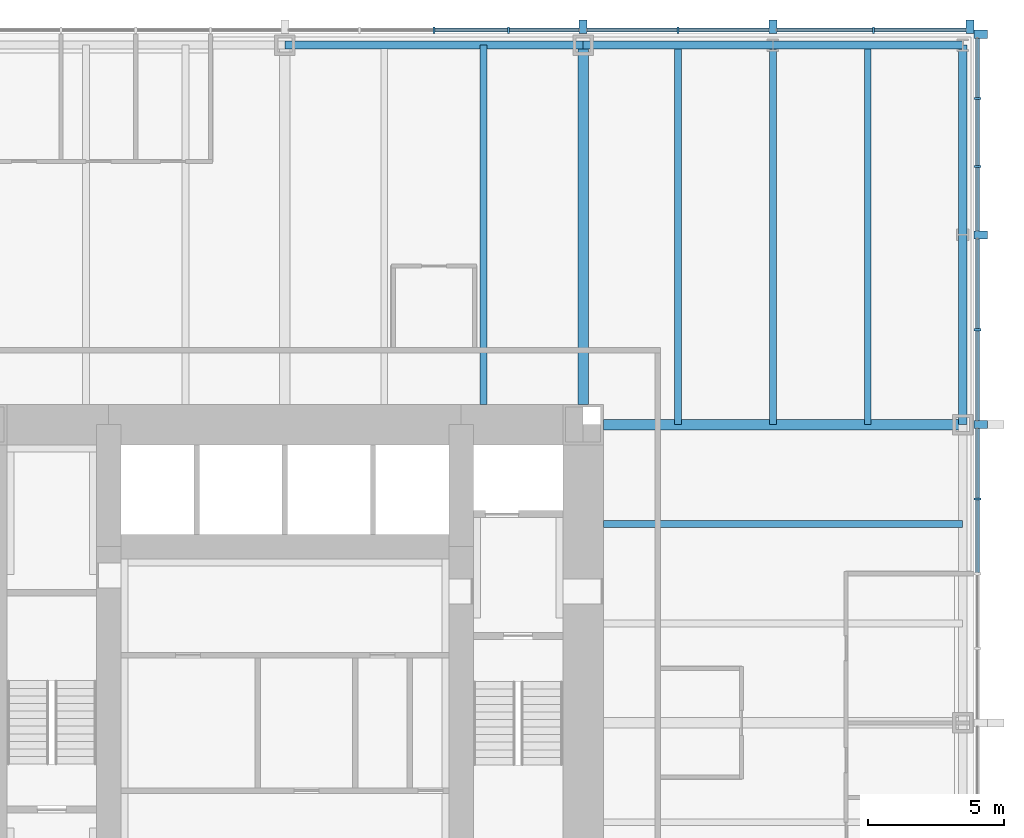
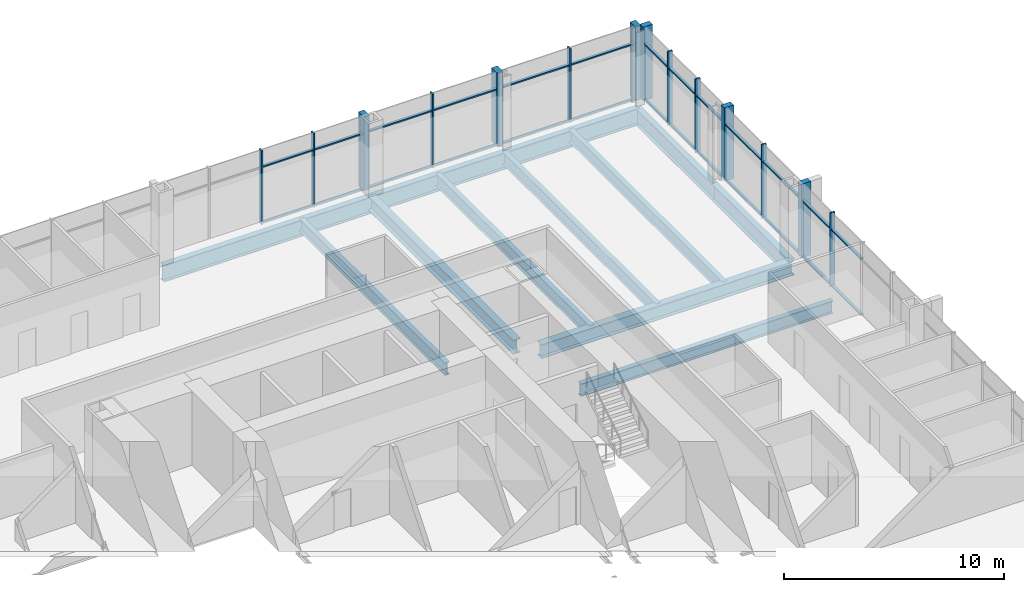
# One storey, part 6 of 12: 40 members, 12 beams, 2 elements without a shape of their own.
"""IFC4 building model written with IfcOpenShell, lengths in metres."""

import ifcopenshell
import ifcopenshell.guid

model = None  # the IFC model being written
_history = None  # IfcOwnerHistory: only IFC2X3 demands one
_inside = {}  # id of a spatial element -> (the spatial element, [elements in it])
_under = {}  # id of a project, library or spatial element -> (it, [spatial elements below it])
_declared = {}  # id of a project -> (the project, [libraries it declares])
_typed = {}  # id of a type object -> (the type object, [elements of that type])
_made_of = {}  # id of a material, layer set ... -> (it, [elements and type objects made of it])


def new_model(schema):
    """Start an empty IFC model of exactly this schema.

    Asked for "IFC4X3", IfcOpenShell would pick the latest addendum, in which some entities
    have other attributes; the version numbers below select the first issue.
    IFC2X3 requires an IfcOwnerHistory on every rooted entity: one is made here for all.
    """
    global model, _history
    if schema == "IFC4X3":
        model = ifcopenshell.file(schema_version=(4, 3, 0, 0))
    else:
        model = ifcopenshell.file(schema=schema)
    _inside.clear()
    _under.clear()
    _declared.clear()
    _typed.clear()
    _made_of.clear()
    _history = None
    if model.schema == "IFC2X3":
        org = make("IfcOrganization", Name="unknown")
        user = make(
            "IfcPersonAndOrganization",
            ThePerson=make("IfcPerson", FamilyName="unknown"),
            TheOrganization=org,
        )
        app = make(
            "IfcApplication",
            ApplicationDeveloper=org,
            Version="unknown",
            ApplicationFullName="unknown",
            ApplicationIdentifier="unknown",
        )
        _history = make(
            "IfcOwnerHistory",
            OwningUser=user,
            OwningApplication=app,
            ChangeAction="ADDED",
            CreationDate=0,
        )
    return model


def make(cls, **values):
    """One entity of the class cls with the attributes given. An attribute that is None is left unset."""
    return model.create_entity(
        cls, **{name: value for name, value in values.items() if value is not None}
    )


def rooted(cls, **values):
    """An entity with a GlobalId (a new one), such as an element, a storey or a relation."""
    return make(cls, GlobalId=ifcopenshell.guid.new(), OwnerHistory=_history, **values)


def si_unit(unit_type, name, prefix=None):
    """IfcSIUnit, for example si_unit("LENGTHUNIT", "METRE", prefix="MILLI")."""
    return make("IfcSIUnit", UnitType=unit_type, Prefix=prefix, Name=name)


def assignment(units):
    """IfcUnitAssignment: the units of a project."""
    return None if units is None else make("IfcUnitAssignment", Units=units)


def point(xyz):
    """IfcCartesianPoint."""
    return None if xyz is None else make("IfcCartesianPoint", Coordinates=xyz)


def direction(xyz):
    """IfcDirection."""
    return None if xyz is None else make("IfcDirection", DirectionRatios=xyz)


def frame(location, z_axis=None, x_axis=None):
    """IfcAxis2Placement3D, a coordinate frame: its origin and axes. An axis left out is left unset."""
    return make(
        "IfcAxis2Placement3D",
        Location=point(location),
        Axis=direction(z_axis),
        RefDirection=direction(x_axis),
    )


def frame_2d(location, x_axis=None):
    """IfcAxis2Placement2D, a coordinate frame in the plane: its origin and x axis."""
    return make(
        "IfcAxis2Placement2D", Location=point(location), RefDirection=direction(x_axis)
    )


def origin():
    """The frame at (0, 0, 0) with its axes left unset."""
    return frame((0.0, 0.0, 0.0))


def origin_2d():
    """The frame at (0, 0) in the plane with its x axis left unset."""
    return frame_2d((0.0, 0.0))


def place(relative_to, where):
    """IfcLocalPlacement: puts the frame where relative to a parent placement (None: the world)."""
    return make(
        "IfcLocalPlacement", PlacementRelTo=relative_to, RelativePlacement=where
    )


def context(
    kind, dimensions, precision=None, world=None, true_north=None, identifier=None
):
    """IfcGeometricRepresentationContext, for example the 3D "Model" context."""
    return make(
        "IfcGeometricRepresentationContext",
        ContextIdentifier=identifier,
        ContextType=kind,
        CoordinateSpaceDimension=dimensions,
        Precision=precision,
        WorldCoordinateSystem=world,
        TrueNorth=true_north,
    )


def subcontext(parent, identifier, kind, view, scale=None):
    """IfcGeometricRepresentationSubContext, for example "Body" below "Model"."""
    return make(
        "IfcGeometricRepresentationSubContext",
        ContextIdentifier=identifier,
        ContextType=kind,
        ParentContext=parent,
        TargetScale=scale,
        TargetView=view,
    )


def project(units=None, contexts=None):
    """IfcProject with its units and contexts."""
    return rooted(
        "IfcProject",
        Name="project",
        RepresentationContexts=contexts,
        UnitsInContext=assignment(units),
    )


def spatial(cls, under=None, at=None, **own):
    """A site, building, storey or space (cls), placed at a placement, below another one or the project."""
    s = rooted(cls, ObjectPlacement=at, **own)
    if under is not None:
        _under.setdefault(under.id(), (under, []))[1].append(s)
    return s


def profile(cls, at=None, kind="AREA", **sizes):
    """A parametric profile (cls). Its sizes go by their IFC names, for example OverallWidth=200.0."""
    return make(cls, ProfileType=kind, Position=at, **sizes)


def rectangle(**sizes):
    """IfcRectangleProfileDef."""
    return profile("IfcRectangleProfileDef", **sizes)


def i_section(**sizes):
    """IfcIShapeProfileDef."""
    return profile("IfcIShapeProfileDef", **sizes)


def extrude(swept, where, along, depth):
    """IfcExtrudedAreaSolid: the profile swept, set in the frame where, extruded along a direction by depth."""
    return make(
        "IfcExtrudedAreaSolid",
        SweptArea=swept,
        Position=where,
        ExtrudedDirection=direction(along),
        Depth=depth,
    )


def shape(context_of_items, identifier, shape_type, items):
    """IfcShapeRepresentation: the items that make up one representation, for example the "Body"."""
    return make(
        "IfcShapeRepresentation",
        ContextOfItems=context_of_items,
        RepresentationIdentifier=identifier,
        RepresentationType=shape_type,
        Items=items,
    )


def material(Name=None, Category=None):
    """IfcMaterial."""
    return make("IfcMaterial", Name=Name, Category=Category)


def material_profile(
    of_material, cross_section, Name=None, Category=None, Priority=None
):
    """IfcMaterialProfile: a cross section and its material."""
    return make(
        "IfcMaterialProfile",
        Name=Name,
        Material=of_material,
        Profile=cross_section,
        Priority=Priority,
        Category=Category,
    )


def profile_set(profiles, Name=None, composite=None):
    """IfcMaterialProfileSet."""
    return make(
        "IfcMaterialProfileSet",
        Name=Name,
        MaterialProfiles=profiles,
        CompositeProfile=composite,
    )


def made_of(thing, what):
    """Note that an element or type object is made of a material, layer set ...; save() writes the relation."""
    if what is not None:
        _made_of.setdefault(what.id(), (what, []))[1].append(thing)
    return thing


def type_object(cls, material=None, **own):
    """A type object (cls), such as IfcWallType, which elements share."""
    return made_of(rooted(cls, **own), material)


def element(
    cls,
    number,
    at=None,
    inside=None,
    cuts=None,
    type_object=None,
    material=None,
    context=None,
    identifier="Body",
    shape_type=None,
    held_by="IfcProductDefinitionShape",
    body=None,
    shapes=None,
    **own,
):
    """One element of the class cls, such as IfcWall. Its Tag is "e" and its number.

    at: its placement. inside: the storey or other place that contains it. cuts: it is an
    opening in that element (IfcRelVoidsElement). A single representation is given by context,
    identifier, shape_type and body (its items); several are given by shapes. held_by: the class
    of the entity that holds the representations. save() writes the other relations.
    """
    e = rooted(cls, Tag="e%d" % number, ObjectPlacement=at, **own)
    if body is not None:
        shapes = [shape(context, identifier, shape_type, body)]
    if shapes is not None:
        e.Representation = make(held_by, Representations=shapes)
    if inside is not None:
        _inside.setdefault(inside.id(), (inside, []))[1].append(e)
    if cuts is not None:
        rooted(
            "IfcRelVoidsElement", RelatingBuildingElement=cuts, RelatedOpeningElement=e
        )
    if type_object is not None:
        _typed.setdefault(type_object.id(), (type_object, []))[1].append(e)
    return made_of(e, material)


def aggregate(whole, parts):
    """IfcRelAggregates: a whole, such as a stair, and the parts it consists of."""
    return rooted("IfcRelAggregates", RelatingObject=whole, RelatedObjects=parts)


def save(model, path):
    """Write the relations noted so far, then the file.

    IfcRelAggregates (storeys below a building ...), IfcRelContainedInSpatialStructure (elements
    in a storey), IfcRelDefinesByType, IfcRelAssociatesMaterial and IfcRelDeclares: one each for
    every whole, place, type object, material and project.
    """
    for whole, parts in _under.values():
        aggregate(whole, parts)
    for where, things in _inside.values():
        rooted(
            "IfcRelContainedInSpatialStructure",
            RelatedElements=things,
            RelatingStructure=where,
        )
    for kind, things in _typed.values():
        rooted("IfcRelDefinesByType", RelatedObjects=things, RelatingType=kind)
    for what, things in _made_of.values():
        rooted("IfcRelAssociatesMaterial", RelatedObjects=things, RelatingMaterial=what)
    for by, libraries in _declared.values():
        rooted("IfcRelDeclares", RelatingContext=by, RelatedDefinitions=libraries)
    model.write(path)


model = new_model("IFC4")

# Units and contexts
model_context = context("Model", 3, precision=1e-05, world=origin(), true_north=direction((0.0, 1.0)))
body_context = subcontext(model_context, "Body", "Model", "MODEL_VIEW")
ifc_project = project(units=[si_unit("LENGTHUNIT", "METRE"), si_unit("AREAUNIT", "SQUARE_METRE"), si_unit("VOLUMEUNIT", "CUBIC_METRE"), si_unit("PLANEANGLEUNIT", "RADIAN"), si_unit("MASSUNIT", "GRAM", prefix="KILO")], contexts=[model_context])

# Site, building, storey
site_placement = place(None, origin())
site = spatial("IfcSite", under=ifc_project, at=site_placement, CompositionType="ELEMENT")
building_placement = place(site_placement, origin())
building = spatial("IfcBuilding", under=site, at=building_placement, Name="Trevanion Tower", CompositionType="ELEMENT")
storey_placement = place(building_placement, frame((0.0, 0.0, 32.39990234375)))
storey = spatial("IfcBuildingStorey", under=building, at=storey_placement, Name="L07", CompositionType="ELEMENT", Elevation=32.39990234375)

# Beams
ifc_material_1 = material(Name="Steel ASTM A992 Grade 50", Category="steel")
ifc_material_profile_1 = material_profile(ifc_material_1, i_section(OverallWidth=0.25390625, OverallDepth=0.700927734375, WebThickness=0.015380859375, FlangeThickness=0.02783203125, at=origin_2d()), Name="W27X129")
ifc_profile_set_1 = profile_set([ifc_material_profile_1], Name="Steel ASTM A992 Grade 50")
beam_type_1 = type_object("IfcBeamType", Name="B3 W27X129", PredefinedType="BEAM", material=ifc_profile_set_1)
for number, where, z_axis, x_axis, name in (
    (1, (11.75, 7.333251953125, -0.540283203125), (1.0, 0.0, 0.0), (0.0, 1.0, 0.0), "B3 L07"),
    (2, (7.333251953125, 11.75, -0.540283203125), (0.0, 1.0, 0.0), (-1.0, 0.0, 0.0), "B3 L07"),
):
    element("IfcBeam", number, at=place(storey_placement, frame(where, z_axis=z_axis, x_axis=x_axis)), inside=storey, type_object=beam_type_1, Name=name, PredefinedType="BEAM", context=body_context, shape_type="SweptSolid", body=[
        extrude(i_section(OverallWidth=0.25390625, OverallDepth=0.700927734375, WebThickness=0.015380859375, FlangeThickness=0.02783203125, at=origin_2d()), origin(), (0.0, 0.0, 1.0), 13.25),
    ])
ifc_material_2 = material(Name="Steel ASTM A992 Grade 50", Category="steel")
ifc_material_profile_2 = material_profile(ifc_material_2, i_section(OverallWidth=0.256591796875, OverallDepth=0.693359375, WebThickness=0.014404296875, FlangeThickness=0.023681640625, at=origin_2d()), Name="W27X114")
ifc_profile_set_2 = profile_set([ifc_material_profile_2], Name="Steel ASTM A992 Grade 50")
beam_type_2 = type_object("IfcBeamType", Name="B4 W27X114", PredefinedType="BEAM", material=ifc_profile_set_2)
for number, where, z_axis, x_axis, name in (
    (3, (14.5, 11.0, -0.53662109375), (0.0, 1.0, 0.0), (-1.0, 0.0, 0.0), "B4 L07"),
    (4, (18.0, 11.0, -0.53662109375), (0.0, 1.0, 0.0), (-1.0, 0.0, 0.0), "B4 L07"),
    (5, (21.5, 11.0, -0.53662109375), (0.0, 1.0, 0.0), (-1.0, 0.0, 0.0), "B4 L07"),
):
    element("IfcBeam", number, at=place(storey_placement, frame(where, z_axis=z_axis, x_axis=x_axis)), inside=storey, type_object=beam_type_2, Name=name, PredefinedType="BEAM", context=body_context, shape_type="SweptSolid", body=[
        extrude(i_section(OverallWidth=0.256591796875, OverallDepth=0.693359375, WebThickness=0.014404296875, FlangeThickness=0.023681640625, at=origin_2d()), origin(), (0.0, 0.0, 1.0), 14.0),
    ])

# Curtain wall, members
ifc_material_3 = material(Name="Aluminium and glass", Category="aluminium")
curtain_wall_type = type_object("IfcCurtainWallType", Name="CW1 curtain wall", PredefinedType="USERDEFINED", material=ifc_material_3)
curtain_wall_1_placement = place(storey_placement, origin())
curtain_wall_1 = element("IfcCurtainWall", 6, at=curtain_wall_1_placement, inside=storey, type_object=curtain_wall_type, Name="CW1 L07 0", ObjectType="UNITISED CURTAIN WALL", PredefinedType="USERDEFINED")
ifc_material_4 = material(Name="Aluminium extrusion, anodised bronze", Category="aluminium")
ifc_material_profile_3 = material_profile(ifc_material_4, rectangle(XDim=0.074951171875, YDim=0.25, at=origin_2d()), Name="CW1 mullion")
ifc_profile_set_3 = profile_set([ifc_material_profile_3], Name="Aluminium extrusion, anodised bronze")
member_type_1 = type_object("IfcMemberType", Name="CW1 mullion", PredefinedType="MULLION", material=ifc_profile_set_3)
member_1_placement = place(storey_placement, frame((25.550048828125, 8.25, -0.18994140625), z_axis=(0.0, 0.0, 1.0), x_axis=(0.0, 1.0, 0.0)))
member_1 = element("IfcMember", 7, at=member_1_placement, type_object=member_type_1, Name="CW1 mullion 12", PredefinedType="MULLION", context=body_context, shape_type="SweptSolid", body=[
    extrude(rectangle(XDim=0.074951171875, YDim=0.25, at=origin_2d()), origin(), (0.0, 0.0, 1.0), 4.10009765625),
])
member_2_placement = place(storey_placement, frame((25.550048828125, 14.5, -0.18994140625), z_axis=(0.0, 0.0, 1.0), x_axis=(0.0, 1.0, 0.0)))
member_2 = element("IfcMember", 8, at=member_2_placement, type_object=member_type_1, Name="CW1 mullion 14", PredefinedType="MULLION", context=body_context, shape_type="SweptSolid", body=[
    extrude(rectangle(XDim=0.074951171875, YDim=0.25, at=origin_2d()), origin(), (0.0, 0.0, 1.0), 4.10009765625),
])
member_3_placement = place(storey_placement, frame((25.550048828125, 20.5166015625, -0.18994140625), z_axis=(0.0, 0.0, 1.0), x_axis=(0.0, 1.0, 0.0)))
member_3 = element("IfcMember", 9, at=member_3_placement, type_object=member_type_1, Name="CW1 mullion 16", PredefinedType="MULLION", context=body_context, shape_type="SweptSolid", body=[
    extrude(rectangle(XDim=0.074951171875, YDim=0.25, at=origin_2d()), origin(), (0.0, 0.0, 1.0), 4.10009765625),
])
member_4_placement = place(storey_placement, frame((25.550048828125, 23.033203125, -0.18994140625), z_axis=(0.0, 0.0, 1.0), x_axis=(0.0, 1.0, 0.0)))
member_4 = element("IfcMember", 10, at=member_4_placement, type_object=member_type_1, Name="CW1 mullion 17", PredefinedType="MULLION", context=body_context, shape_type="SweptSolid", body=[
    extrude(rectangle(XDim=0.074951171875, YDim=0.25, at=origin_2d()), origin(), (0.0, 0.0, 1.0), 4.10009765625),
])

curtain_wall_2_placement = place(storey_placement, origin())
curtain_wall_2 = element("IfcCurtainWall", 11, at=curtain_wall_2_placement, inside=storey, type_object=curtain_wall_type, Name="CW1 L07 1", ObjectType="UNITISED CURTAIN WALL", PredefinedType="USERDEFINED")
member_5_placement = place(storey_placement, frame((21.7099609375, 25.550048828125, -0.18994140625), z_axis=(0.0, 0.0, 1.0), x_axis=(-1.0, 0.0, 0.0)))
member_5 = element("IfcMember", 12, at=member_5_placement, type_object=member_type_1, Name="CW1 mullion 2", PredefinedType="MULLION", context=body_context, shape_type="SweptSolid", body=[
    extrude(rectangle(XDim=0.074951171875, YDim=0.25, at=origin_2d()), origin(), (0.0, 0.0, 1.0), 4.10009765625),
])
member_6_placement = place(storey_placement, frame((14.5, 25.550048828125, -0.18994140625), z_axis=(0.0, 0.0, 1.0), x_axis=(-1.0, 0.0, 0.0)))
member_6 = element("IfcMember", 13, at=member_6_placement, type_object=member_type_1, Name="CW1 mullion 4", PredefinedType="MULLION", context=body_context, shape_type="SweptSolid", body=[
    extrude(rectangle(XDim=0.074951171875, YDim=0.25, at=origin_2d()), origin(), (0.0, 0.0, 1.0), 4.10009765625),
])
member_7_placement = place(storey_placement, frame((8.25, 25.550048828125, -0.18994140625), z_axis=(0.0, 0.0, 1.0), x_axis=(-1.0, 0.0, 0.0)))
member_7 = element("IfcMember", 14, at=member_7_placement, type_object=member_type_1, Name="CW1 mullion 6", PredefinedType="MULLION", context=body_context, shape_type="SweptSolid", body=[
    extrude(rectangle(XDim=0.074951171875, YDim=0.25, at=origin_2d()), origin(), (0.0, 0.0, 1.0), 4.10009765625),
])
member_8_placement = place(storey_placement, frame((5.5, 25.550048828125, -0.18994140625), z_axis=(0.0, 0.0, 1.0), x_axis=(-1.0, 0.0, 0.0)))
member_8 = element("IfcMember", 15, at=member_8_placement, type_object=member_type_1, Name="CW1 mullion 7", PredefinedType="MULLION", context=body_context, shape_type="SweptSolid", body=[
    extrude(rectangle(XDim=0.074951171875, YDim=0.25, at=origin_2d()), origin(), (0.0, 0.0, 1.0), 4.10009765625),
])

# Member
ifc_material_5 = material(Name="Aluminium extrusion, anodised bronze", Category="aluminium")
ifc_material_profile_4 = material_profile(ifc_material_5, rectangle(XDim=0.300048828125, YDim=0.5, at=origin_2d()), Name="CW1 pier mullion")
ifc_profile_set_4 = profile_set([ifc_material_profile_4], Name="Aluminium extrusion, anodised bronze")
member_type_2 = type_object("IfcMemberType", Name="CW1 pier mullion", PredefinedType="MULLION", material=ifc_profile_set_4)
member_9_placement = place(storey_placement, frame((25.675048828125, 11.0, -0.18994140625), z_axis=(0.0, 0.0, 1.0), x_axis=(0.0, 1.0, 0.0)))
member_9 = element("IfcMember", 16, at=member_9_placement, type_object=member_type_2, Name="CW1 pier mullion 13", PredefinedType="MULLION", context=body_context, shape_type="SweptSolid", body=[
    extrude(rectangle(XDim=0.300048828125, YDim=0.5, at=origin_2d()), origin(), (0.0, 0.0, 1.0), 4.10009765625),
])

member_10_placement = place(storey_placement, frame((25.675048828125, 18.0, -0.18994140625), z_axis=(0.0, 0.0, 1.0), x_axis=(0.0, 1.0, 0.0)))
member_10 = element("IfcMember", 17, at=member_10_placement, type_object=member_type_2, Name="CW1 pier mullion 15", PredefinedType="MULLION", context=body_context, shape_type="SweptSolid", body=[
    extrude(rectangle(XDim=0.300048828125, YDim=0.5, at=origin_2d()), origin(), (0.0, 0.0, 1.0), 4.10009765625),
])

member_11_placement = place(storey_placement, frame((25.675048828125, 25.39990234375, -0.18994140625), z_axis=(0.0, 0.0, 1.0), x_axis=(0.0, 1.0, 0.0)))
member_11 = element("IfcMember", 18, at=member_11_placement, type_object=member_type_2, Name="CW1 pier mullion 18", PredefinedType="MULLION", context=body_context, shape_type="SweptSolid", body=[
    extrude(rectangle(XDim=0.300048828125, YDim=0.5, at=origin_2d()), origin(), (0.0, 0.0, 1.0), 4.10009765625),
])

member_12_placement = place(storey_placement, frame((25.27001953125, 25.675048828125, -0.18994140625), z_axis=(0.0, 0.0, 1.0), x_axis=(-1.0, 0.0, 0.0)))
member_12 = element("IfcMember", 19, at=member_12_placement, type_object=member_type_2, Name="CW1 pier mullion 1", PredefinedType="MULLION", context=body_context, shape_type="SweptSolid", body=[
    extrude(rectangle(XDim=0.300048828125, YDim=0.5, at=origin_2d()), origin(), (0.0, 0.0, 1.0), 4.10009765625),
])

member_13_placement = place(storey_placement, frame((18.0, 25.675048828125, -0.18994140625), z_axis=(0.0, 0.0, 1.0), x_axis=(-1.0, 0.0, 0.0)))
member_13 = element("IfcMember", 20, at=member_13_placement, type_object=member_type_2, Name="CW1 pier mullion 3", PredefinedType="MULLION", context=body_context, shape_type="SweptSolid", body=[
    extrude(rectangle(XDim=0.300048828125, YDim=0.5, at=origin_2d()), origin(), (0.0, 0.0, 1.0), 4.10009765625),
])

member_14_placement = place(storey_placement, frame((11.0, 25.675048828125, -0.18994140625), z_axis=(0.0, 0.0, 1.0), x_axis=(-1.0, 0.0, 0.0)))
member_14 = element("IfcMember", 21, at=member_14_placement, type_object=member_type_2, Name="CW1 pier mullion 5", PredefinedType="MULLION", context=body_context, shape_type="SweptSolid", body=[
    extrude(rectangle(XDim=0.300048828125, YDim=0.5, at=origin_2d()), origin(), (0.0, 0.0, 1.0), 4.10009765625),
])

ifc_material_6 = material(Name="Aluminium extrusion, anodised bronze", Category="aluminium")
ifc_material_profile_5 = material_profile(ifc_material_6, rectangle(XDim=0.14990234375, YDim=0.074951171875, at=origin_2d()), Name="CW1 transom")
ifc_profile_set_5 = profile_set([ifc_material_profile_5], Name="Aluminium extrusion, anodised bronze")
member_type_3 = type_object("IfcMemberType", Name="CW1 transom", PredefinedType="USERDEFINED", material=ifc_profile_set_5)
member_15_placement = place(storey_placement, frame((25.550048828125, 5.53759765625, -0.15234375), z_axis=(0.0, 1.0, 0.0), x_axis=(-1.0, 0.0, 0.0)))
member_15 = element("IfcMember", 22, at=member_15_placement, type_object=member_type_3, Name="CW1 transom 11.1", ObjectType="TRANSOM", PredefinedType="USERDEFINED", context=body_context, shape_type="SweptSolid", body=[
    extrude(rectangle(XDim=0.14990234375, YDim=0.074951171875, at=origin_2d()), origin(), (0.0, 0.0, 1.0), 2.6748046875),
])

member_16_placement = place(storey_placement, frame((25.550048828125, 5.53759765625, 2.960205078125), z_axis=(0.0, 1.0, 0.0), x_axis=(-1.0, 0.0, 0.0)))
member_16 = element("IfcMember", 23, at=member_16_placement, type_object=member_type_3, Name="CW1 transom 11.2", ObjectType="TRANSOM", PredefinedType="USERDEFINED", context=body_context, shape_type="SweptSolid", body=[
    extrude(rectangle(XDim=0.14990234375, YDim=0.074951171875, at=origin_2d()), origin(), (0.0, 0.0, 1.0), 2.6748046875),
])

member_17_placement = place(storey_placement, frame((25.550048828125, 8.28759765625, -0.15234375), z_axis=(0.0, 1.0, 0.0), x_axis=(-1.0, 0.0, 0.0)))
member_17 = element("IfcMember", 24, at=member_17_placement, type_object=member_type_3, Name="CW1 transom 12.1", ObjectType="TRANSOM", PredefinedType="USERDEFINED", context=body_context, shape_type="SweptSolid", body=[
    extrude(rectangle(XDim=0.14990234375, YDim=0.074951171875, at=origin_2d()), origin(), (0.0, 0.0, 1.0), 2.5625),
])

member_18_placement = place(storey_placement, frame((25.550048828125, 8.28759765625, 2.960205078125), z_axis=(0.0, 1.0, 0.0), x_axis=(-1.0, 0.0, 0.0)))
member_18 = element("IfcMember", 25, at=member_18_placement, type_object=member_type_3, Name="CW1 transom 12.2", ObjectType="TRANSOM", PredefinedType="USERDEFINED", context=body_context, shape_type="SweptSolid", body=[
    extrude(rectangle(XDim=0.14990234375, YDim=0.074951171875, at=origin_2d()), origin(), (0.0, 0.0, 1.0), 2.5625),
])

member_19_placement = place(storey_placement, frame((25.550048828125, 11.14990234375, -0.15234375), z_axis=(0.0, 1.0, 0.0), x_axis=(-1.0, 0.0, 0.0)))
member_19 = element("IfcMember", 26, at=member_19_placement, type_object=member_type_3, Name="CW1 transom 13.1", ObjectType="TRANSOM", PredefinedType="USERDEFINED", context=body_context, shape_type="SweptSolid", body=[
    extrude(rectangle(XDim=0.14990234375, YDim=0.074951171875, at=origin_2d()), origin(), (0.0, 0.0, 1.0), 3.3125),
])

member_20_placement = place(storey_placement, frame((25.550048828125, 11.14990234375, 2.960205078125), z_axis=(0.0, 1.0, 0.0), x_axis=(-1.0, 0.0, 0.0)))
member_20 = element("IfcMember", 27, at=member_20_placement, type_object=member_type_3, Name="CW1 transom 13.2", ObjectType="TRANSOM", PredefinedType="USERDEFINED", context=body_context, shape_type="SweptSolid", body=[
    extrude(rectangle(XDim=0.14990234375, YDim=0.074951171875, at=origin_2d()), origin(), (0.0, 0.0, 1.0), 3.3125),
])

member_21_placement = place(storey_placement, frame((25.550048828125, 14.53759765625, -0.15234375), z_axis=(0.0, 1.0, 0.0), x_axis=(-1.0, 0.0, 0.0)))
member_21 = element("IfcMember", 28, at=member_21_placement, type_object=member_type_3, Name="CW1 transom 14.1", ObjectType="TRANSOM", PredefinedType="USERDEFINED", context=body_context, shape_type="SweptSolid", body=[
    extrude(rectangle(XDim=0.14990234375, YDim=0.074951171875, at=origin_2d()), origin(), (0.0, 0.0, 1.0), 3.3125),
])

member_22_placement = place(storey_placement, frame((25.550048828125, 14.53759765625, 2.960205078125), z_axis=(0.0, 1.0, 0.0), x_axis=(-1.0, 0.0, 0.0)))
member_22 = element("IfcMember", 29, at=member_22_placement, type_object=member_type_3, Name="CW1 transom 14.2", ObjectType="TRANSOM", PredefinedType="USERDEFINED", context=body_context, shape_type="SweptSolid", body=[
    extrude(rectangle(XDim=0.14990234375, YDim=0.074951171875, at=origin_2d()), origin(), (0.0, 0.0, 1.0), 3.3125),
])

member_23_placement = place(storey_placement, frame((25.550048828125, 18.14990234375, -0.15234375), z_axis=(0.0, 1.0, 0.0), x_axis=(-1.0, 0.0, 0.0)))
member_23 = element("IfcMember", 30, at=member_23_placement, type_object=member_type_3, Name="CW1 transom 15.1", ObjectType="TRANSOM", PredefinedType="USERDEFINED", context=body_context, shape_type="SweptSolid", body=[
    extrude(rectangle(XDim=0.14990234375, YDim=0.074951171875, at=origin_2d()), origin(), (0.0, 0.0, 1.0), 2.329345703125),
])

member_24_placement = place(storey_placement, frame((25.550048828125, 18.14990234375, 2.960205078125), z_axis=(0.0, 1.0, 0.0), x_axis=(-1.0, 0.0, 0.0)))
member_24 = element("IfcMember", 31, at=member_24_placement, type_object=member_type_3, Name="CW1 transom 15.2", ObjectType="TRANSOM", PredefinedType="USERDEFINED", context=body_context, shape_type="SweptSolid", body=[
    extrude(rectangle(XDim=0.14990234375, YDim=0.074951171875, at=origin_2d()), origin(), (0.0, 0.0, 1.0), 2.329345703125),
])

member_25_placement = place(storey_placement, frame((25.550048828125, 20.55419921875, -0.15234375), z_axis=(0.0, 1.0, 0.0), x_axis=(-1.0, 0.0, 0.0)))
member_25 = element("IfcMember", 32, at=member_25_placement, type_object=member_type_3, Name="CW1 transom 16.1", ObjectType="TRANSOM", PredefinedType="USERDEFINED", context=body_context, shape_type="SweptSolid", body=[
    extrude(rectangle(XDim=0.14990234375, YDim=0.074951171875, at=origin_2d()), origin(), (0.0, 0.0, 1.0), 2.441650390625),
])

member_26_placement = place(storey_placement, frame((25.550048828125, 20.55419921875, 2.960205078125), z_axis=(0.0, 1.0, 0.0), x_axis=(-1.0, 0.0, 0.0)))
member_26 = element("IfcMember", 33, at=member_26_placement, type_object=member_type_3, Name="CW1 transom 16.2", ObjectType="TRANSOM", PredefinedType="USERDEFINED", context=body_context, shape_type="SweptSolid", body=[
    extrude(rectangle(XDim=0.14990234375, YDim=0.074951171875, at=origin_2d()), origin(), (0.0, 0.0, 1.0), 2.441650390625),
])

member_27_placement = place(storey_placement, frame((25.550048828125, 23.07080078125, -0.15234375), z_axis=(0.0, 1.0, 0.0), x_axis=(-1.0, 0.0, 0.0)))
member_27 = element("IfcMember", 34, at=member_27_placement, type_object=member_type_3, Name="CW1 transom 17.1", ObjectType="TRANSOM", PredefinedType="USERDEFINED", context=body_context, shape_type="SweptSolid", body=[
    extrude(rectangle(XDim=0.14990234375, YDim=0.074951171875, at=origin_2d()), origin(), (0.0, 0.0, 1.0), 2.17919921875),
])

member_28_placement = place(storey_placement, frame((25.550048828125, 23.07080078125, 2.960205078125), z_axis=(0.0, 1.0, 0.0), x_axis=(-1.0, 0.0, 0.0)))
member_28 = element("IfcMember", 35, at=member_28_placement, type_object=member_type_3, Name="CW1 transom 17.2", ObjectType="TRANSOM", PredefinedType="USERDEFINED", context=body_context, shape_type="SweptSolid", body=[
    extrude(rectangle(XDim=0.14990234375, YDim=0.074951171875, at=origin_2d()), origin(), (0.0, 0.0, 1.0), 2.17919921875),
])

aggregate(curtain_wall_1, [member_1, member_9, member_2, member_10, member_3, member_4, member_11, member_15, member_16, member_17, member_18, member_19, member_20, member_21, member_22, member_23, member_24, member_25, member_26, member_27, member_28])

member_29_placement = place(storey_placement, frame((25.1201171875, 25.550048828125, -0.15234375), z_axis=(-1.0, 0.0, 0.0), x_axis=(0.0, -1.0, 0.0)))
member_29 = element("IfcMember", 36, at=member_29_placement, type_object=member_type_3, Name="CW1 transom 1.1", ObjectType="TRANSOM", PredefinedType="USERDEFINED", context=body_context, shape_type="SweptSolid", body=[
    extrude(rectangle(XDim=0.14990234375, YDim=0.074951171875, at=origin_2d()), origin(), (0.0, 0.0, 1.0), 3.37255859375),
])

member_30_placement = place(storey_placement, frame((25.1201171875, 25.550048828125, 2.960205078125), z_axis=(-1.0, 0.0, 0.0), x_axis=(0.0, -1.0, 0.0)))
member_30 = element("IfcMember", 37, at=member_30_placement, type_object=member_type_3, Name="CW1 transom 1.2", ObjectType="TRANSOM", PredefinedType="USERDEFINED", context=body_context, shape_type="SweptSolid", body=[
    extrude(rectangle(XDim=0.14990234375, YDim=0.074951171875, at=origin_2d()), origin(), (0.0, 0.0, 1.0), 3.37255859375),
])

member_31_placement = place(storey_placement, frame((21.672607421875, 25.550048828125, -0.15234375), z_axis=(-1.0, 0.0, 0.0), x_axis=(0.0, -1.0, 0.0)))
member_31 = element("IfcMember", 38, at=member_31_placement, type_object=member_type_3, Name="CW1 transom 2.1", ObjectType="TRANSOM", PredefinedType="USERDEFINED", context=body_context, shape_type="SweptSolid", body=[
    extrude(rectangle(XDim=0.14990234375, YDim=0.074951171875, at=origin_2d()), origin(), (0.0, 0.0, 1.0), 3.522705078125),
])

member_32_placement = place(storey_placement, frame((21.672607421875, 25.550048828125, 2.960205078125), z_axis=(-1.0, 0.0, 0.0), x_axis=(0.0, -1.0, 0.0)))
member_32 = element("IfcMember", 39, at=member_32_placement, type_object=member_type_3, Name="CW1 transom 2.2", ObjectType="TRANSOM", PredefinedType="USERDEFINED", context=body_context, shape_type="SweptSolid", body=[
    extrude(rectangle(XDim=0.14990234375, YDim=0.074951171875, at=origin_2d()), origin(), (0.0, 0.0, 1.0), 3.522705078125),
])

member_33_placement = place(storey_placement, frame((17.85009765625, 25.550048828125, -0.15234375), z_axis=(-1.0, 0.0, 0.0), x_axis=(0.0, -1.0, 0.0)))
member_33 = element("IfcMember", 40, at=member_33_placement, type_object=member_type_3, Name="CW1 transom 3.1", ObjectType="TRANSOM", PredefinedType="USERDEFINED", context=body_context, shape_type="SweptSolid", body=[
    extrude(rectangle(XDim=0.14990234375, YDim=0.074951171875, at=origin_2d()), origin(), (0.0, 0.0, 1.0), 3.3125),
])

member_34_placement = place(storey_placement, frame((17.85009765625, 25.550048828125, 2.960205078125), z_axis=(-1.0, 0.0, 0.0), x_axis=(0.0, -1.0, 0.0)))
member_34 = element("IfcMember", 41, at=member_34_placement, type_object=member_type_3, Name="CW1 transom 3.2", ObjectType="TRANSOM", PredefinedType="USERDEFINED", context=body_context, shape_type="SweptSolid", body=[
    extrude(rectangle(XDim=0.14990234375, YDim=0.074951171875, at=origin_2d()), origin(), (0.0, 0.0, 1.0), 3.3125),
])

member_35_placement = place(storey_placement, frame((14.46240234375, 25.550048828125, -0.15234375), z_axis=(-1.0, 0.0, 0.0), x_axis=(0.0, -1.0, 0.0)))
member_35 = element("IfcMember", 42, at=member_35_placement, type_object=member_type_3, Name="CW1 transom 4.1", ObjectType="TRANSOM", PredefinedType="USERDEFINED", context=body_context, shape_type="SweptSolid", body=[
    extrude(rectangle(XDim=0.14990234375, YDim=0.074951171875, at=origin_2d()), origin(), (0.0, 0.0, 1.0), 3.3125),
])

member_36_placement = place(storey_placement, frame((14.46240234375, 25.550048828125, 2.960205078125), z_axis=(-1.0, 0.0, 0.0), x_axis=(0.0, -1.0, 0.0)))
member_36 = element("IfcMember", 43, at=member_36_placement, type_object=member_type_3, Name="CW1 transom 4.2", ObjectType="TRANSOM", PredefinedType="USERDEFINED", context=body_context, shape_type="SweptSolid", body=[
    extrude(rectangle(XDim=0.14990234375, YDim=0.074951171875, at=origin_2d()), origin(), (0.0, 0.0, 1.0), 3.3125),
])

member_37_placement = place(storey_placement, frame((10.85009765625, 25.550048828125, -0.15234375), z_axis=(-1.0, 0.0, 0.0), x_axis=(0.0, -1.0, 0.0)))
member_37 = element("IfcMember", 44, at=member_37_placement, type_object=member_type_3, Name="CW1 transom 5.1", ObjectType="TRANSOM", PredefinedType="USERDEFINED", context=body_context, shape_type="SweptSolid", body=[
    extrude(rectangle(XDim=0.14990234375, YDim=0.074951171875, at=origin_2d()), origin(), (0.0, 0.0, 1.0), 2.5625),
])

member_38_placement = place(storey_placement, frame((10.85009765625, 25.550048828125, 2.960205078125), z_axis=(-1.0, 0.0, 0.0), x_axis=(0.0, -1.0, 0.0)))
member_38 = element("IfcMember", 45, at=member_38_placement, type_object=member_type_3, Name="CW1 transom 5.2", ObjectType="TRANSOM", PredefinedType="USERDEFINED", context=body_context, shape_type="SweptSolid", body=[
    extrude(rectangle(XDim=0.14990234375, YDim=0.074951171875, at=origin_2d()), origin(), (0.0, 0.0, 1.0), 2.5625),
])

member_39_placement = place(storey_placement, frame((8.21240234375, 25.550048828125, -0.15234375), z_axis=(-1.0, 0.0, 0.0), x_axis=(0.0, -1.0, 0.0)))
member_39 = element("IfcMember", 46, at=member_39_placement, type_object=member_type_3, Name="CW1 transom 6.1", ObjectType="TRANSOM", PredefinedType="USERDEFINED", context=body_context, shape_type="SweptSolid", body=[
    extrude(rectangle(XDim=0.14990234375, YDim=0.074951171875, at=origin_2d()), origin(), (0.0, 0.0, 1.0), 2.6748046875),
])

member_40_placement = place(storey_placement, frame((8.21240234375, 25.550048828125, 2.960205078125), z_axis=(-1.0, 0.0, 0.0), x_axis=(0.0, -1.0, 0.0)))
member_40 = element("IfcMember", 47, at=member_40_placement, type_object=member_type_3, Name="CW1 transom 6.2", ObjectType="TRANSOM", PredefinedType="USERDEFINED", context=body_context, shape_type="SweptSolid", body=[
    extrude(rectangle(XDim=0.14990234375, YDim=0.074951171875, at=origin_2d()), origin(), (0.0, 0.0, 1.0), 2.6748046875),
])

aggregate(curtain_wall_2, [member_12, member_5, member_13, member_6, member_14, member_7, member_8, member_29, member_30, member_31, member_32, member_33, member_34, member_35, member_36, member_37, member_38, member_39, member_40])

# Beams
ifc_material_7 = material(Name="Steel ASTM A992 Grade 50", Category="steel")
ifc_material_profile_6 = material_profile(ifc_material_7, i_section(OverallWidth=0.381103515625, OverallDepth=0.77978515625, WebThickness=0.01806640625, FlangeThickness=0.0302734375, at=origin_2d()), Name="W30X191")
ifc_profile_set_6 = profile_set([ifc_material_profile_6], Name="Steel ASTM A992 Grade 50")
beam_type_3 = type_object("IfcBeamType", Name="G2 W30X191", PredefinedType="BEAM", material=ifc_profile_set_6)
for number, where, z_axis, x_axis, name in (
    (48, (11.75, 11.0, -0.579833984375), (1.0, 0.0, 0.0), (0.0, 1.0, 0.0), "G2 L07"),
    (49, (11.0, 11.75, -0.579833984375), (0.0, 1.0, 0.0), (-1.0, 0.0, 0.0), "G2 L07"),
):
    element("IfcBeam", number, at=place(storey_placement, frame(where, z_axis=z_axis, x_axis=x_axis)), inside=storey, type_object=beam_type_3, Name=name, PredefinedType="BEAM", context=body_context, shape_type="SweptSolid", body=[
        extrude(i_section(OverallWidth=0.381103515625, OverallDepth=0.77978515625, WebThickness=0.01806640625, FlangeThickness=0.0302734375, at=origin_2d()), origin(), (0.0, 0.0, 1.0), 13.25),
    ])
ifc_material_8 = material(Name="Steel ASTM A992 Grade 50", Category="steel")
ifc_material_profile_7 = material_profile(ifc_material_8, i_section(OverallWidth=0.307373046875, OverallDepth=0.927001953125, WebThickness=0.01953125, FlangeThickness=0.031982421875, at=origin_2d()), Name="W36X194")
ifc_profile_set_7 = profile_set([ifc_material_profile_7], Name="Steel ASTM A992 Grade 50")
beam_type_4 = type_object("IfcBeamType", Name="SB2 W36X194", PredefinedType="SPANDREL", material=ifc_profile_set_7)
for number, where, z_axis, x_axis, name in (
    (50, (25.0, 11.0, -0.653564453125), (0.0, 1.0, 0.0), (-1.0, 0.0, 0.0), "SB2 L07"),
    (51, (25.0, 18.0, -0.653564453125), (0.0, 1.0, 0.0), (-1.0, 0.0, 0.0), "SB2 L07"),
    (52, (25.0, 25.0, -0.653564453125), (-1.0, 0.0, 0.0), (0.0, -1.0, 0.0), "SB2 L07"),
    (53, (18.0, 25.0, -0.653564453125), (-1.0, 0.0, 0.0), (0.0, -1.0, 0.0), "SB2 L07"),
):
    element("IfcBeam", number, at=place(storey_placement, frame(where, z_axis=z_axis, x_axis=x_axis)), inside=storey, type_object=beam_type_4, Name=name, PredefinedType="SPANDREL", context=body_context, shape_type="SweptSolid", body=[
        extrude(i_section(OverallWidth=0.307373046875, OverallDepth=0.927001953125, WebThickness=0.01953125, FlangeThickness=0.031982421875, at=origin_2d()), origin(), (0.0, 0.0, 1.0), 7.0),
    ])
beam_placement = place(storey_placement, frame((11.0, 25.0, -0.653564453125), z_axis=(-1.0, 0.0, 0.0), x_axis=(0.0, -1.0, 0.0)))
element("IfcBeam", 54, at=beam_placement, inside=storey, type_object=beam_type_4, Name="SB2 L07", PredefinedType="SPANDREL", context=body_context, shape_type="SweptSolid", body=[
    extrude(i_section(OverallWidth=0.307373046875, OverallDepth=0.927001953125, WebThickness=0.01953125, FlangeThickness=0.031982421875, at=origin_2d()), origin(), (0.0, 0.0, 1.0), 11.0),
])

save(model, "model.ifc")
